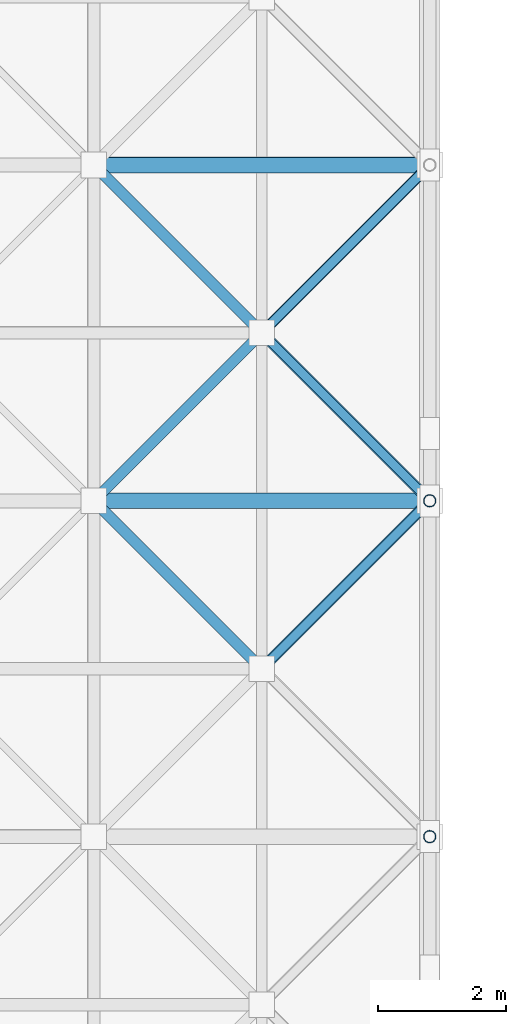
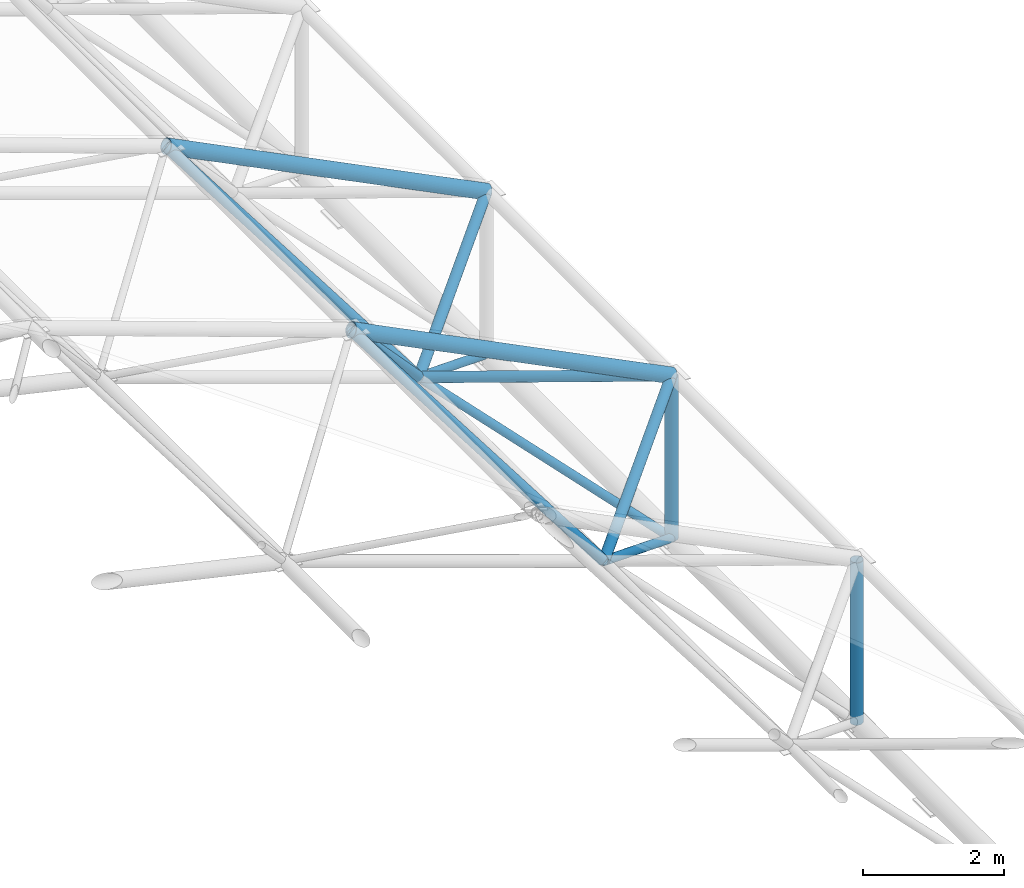
# One storey, part 21 of 100: 13 members.
"""IFC4 building model written with IfcOpenShell, lengths in metres."""

from ifc_helpers import new_model, si_unit, direction, frame, origin, origin_2d, place, context, subcontext, project, spatial, hollow_circle, extrude, material, material_profile, profile_set, type_object, element, save


model = new_model("IFC4")

# Units and contexts
model_context = context("Model", 3, precision=1e-05, world=origin(), true_north=direction((0.0, 1.0)))
body_context = subcontext(model_context, "Body", "Model", "MODEL_VIEW")
ifc_project = project(units=[si_unit("LENGTHUNIT", "METRE"), si_unit("AREAUNIT", "SQUARE_METRE"), si_unit("VOLUMEUNIT", "CUBIC_METRE"), si_unit("PLANEANGLEUNIT", "RADIAN"), si_unit("MASSUNIT", "GRAM", prefix="KILO")], contexts=[model_context])

# Site, building, storey
site_placement = place(None, origin())
site = spatial("IfcSite", under=ifc_project, at=site_placement, CompositionType="ELEMENT")
building_placement = place(site_placement, origin())
building = spatial("IfcBuilding", under=site, at=building_placement, Name="Kiln Court Media Centre", CompositionType="ELEMENT")
storey_placement = place(building_placement, frame((0.0, 0.0, 15.0)))
storey = spatial("IfcBuildingStorey", under=building, at=storey_placement, Name="L03", CompositionType="ELEMENT", Elevation=15.0)

# Members
ifc_material_1 = material(Name="Steel ASTM A500 Gr C", Category="steel")
ifc_material_profile_1 = material_profile(ifc_material_1, hollow_circle(Radius=0.06982421875, WallThickness=0.0048828125, at=origin_2d()), Name="CHS 139.7x5.0")
ifc_profile_set_1 = profile_set([ifc_material_profile_1], Name="Steel ASTM A500 Gr C")
member_type_1 = type_object("IfcMemberType", Name="Steel ASTM A500 Gr C CHS 139.7x5.0 space frame brace", PredefinedType="BRACE", material=ifc_profile_set_1)
for number, where, z_axis, x_axis, name in (
    (1, (100.800048828125, 40.949951171875, 0.18994140625), (-0.614895163376, -0.614895163376, 0.493769051394), (0.707106781187, -0.707106781187, 0.0), "V1 roof bearing tie last 4 space frame brace"),
    (2, (100.800048828125, 40.949951171875, 0.18994140625), (-0.614895163376, 0.614895163376, 0.493769051394), (-0.707106781187, -0.707106781187, 0.0), "V1 roof bearing tie last 4 space frame brace"),
    (3, (100.800048828125, 46.199951171875, 0.18994140625), (-0.614895163376, -0.614895163376, 0.493769051394), (0.707106781187, -0.707106781187, 0.0), "V1 roof bearing tie last 5 space frame brace"),
):
    element("IfcMember", number, at=place(storey_placement, frame(where, z_axis=z_axis, x_axis=x_axis)), inside=storey, type_object=member_type_1, Name=name, PredefinedType="BRACE", context=body_context, shape_type="SweptSolid", body=[
        extrude(hollow_circle(Radius=0.06982421875, WallThickness=0.0048828125, at=origin_2d()), origin(), (0.0, 0.0, 1.0), 4.26904296875),
    ])
ifc_material_2 = material(Name="Steel ASTM A500 Gr C", Category="steel")
ifc_material_profile_2 = material_profile(ifc_material_2, hollow_circle(Radius=0.084228515625, WallThickness=0.00634765625, at=origin_2d()), Name="CHS 168.3x6.3")
ifc_profile_set_2 = profile_set([ifc_material_profile_2], Name="Steel ASTM A500 Gr C")
member_type_2 = type_object("IfcMemberType", Name="Steel ASTM A500 Gr C CHS 168.3x6.3 space frame brace", PredefinedType="BRACE", material=ifc_profile_set_2)
member_1_placement = place(storey_placement, frame((98.175048828125, 38.324951171875, 2.2978515625), z_axis=(-0.526569761857, 0.526569761857, 0.667419337295), x_axis=(-0.707106781187, -0.707106781187, 0.0)))
element("IfcMember", 4, at=member_1_placement, inside=storey, type_object=member_type_2, Name="V1 roof diagonal 8-3 space frame brace", PredefinedType="BRACE", context=body_context, shape_type="SweptSolid", body=[
    extrude(hollow_circle(Radius=0.084228515625, WallThickness=0.00634765625, at=origin_2d()), origin(), (0.0, 0.0, 1.0), 4.985107421875),
])
member_2_placement = place(storey_placement, frame((98.175048828125, 38.324951171875, 2.2978515625), z_axis=(0.694788256549, 0.694788256549, 0.185845519516), x_axis=(-0.707106781187, 0.707106781187, 0.0)))
element("IfcMember", 5, at=member_2_placement, inside=storey, type_object=member_type_2, Name="V1 roof diagonal 8-3 space frame brace", PredefinedType="BRACE", context=body_context, shape_type="SweptSolid", body=[
    extrude(hollow_circle(Radius=0.084228515625, WallThickness=0.00634765625, at=origin_2d()), origin(), (0.0, 0.0, 1.0), 3.778076171875),
])
member_3_placement = place(storey_placement, frame((98.175048828125, 43.574951171875, 2.2978515625), z_axis=(-0.526569761857, -0.526569761857, 0.667419337295), x_axis=(0.707106781187, -0.707106781187, 0.0)))
element("IfcMember", 6, at=member_3_placement, inside=storey, type_object=member_type_2, Name="V1 roof diagonal 8-4 space frame brace", PredefinedType="BRACE", context=body_context, shape_type="SweptSolid", body=[
    extrude(hollow_circle(Radius=0.084228515625, WallThickness=0.00634765625, at=origin_2d()), origin(), (0.0, 0.0, 1.0), 4.985107421875),
])
member_4_placement = place(storey_placement, frame((98.175048828125, 43.574951171875, 2.2978515625), z_axis=(0.694788256549, -0.694788256549, 0.185845519516), x_axis=(0.707106781187, 0.707106781187, 0.0)))
element("IfcMember", 7, at=member_4_placement, inside=storey, type_object=member_type_2, Name="V1 roof diagonal 8-4 space frame brace", PredefinedType="BRACE", context=body_context, shape_type="SweptSolid", body=[
    extrude(hollow_circle(Radius=0.084228515625, WallThickness=0.00634765625, at=origin_2d()), origin(), (0.0, 0.0, 1.0), 3.778076171875),
])
member_5_placement = place(storey_placement, frame((98.175048828125, 43.574951171875, 2.2978515625), z_axis=(-0.526569761857, 0.526569761857, 0.667419337295), x_axis=(-0.707106781187, -0.707106781187, 0.0)))
element("IfcMember", 8, at=member_5_placement, inside=storey, type_object=member_type_2, Name="V1 roof diagonal 8-4 space frame brace", PredefinedType="BRACE", context=body_context, shape_type="SweptSolid", body=[
    extrude(hollow_circle(Radius=0.084228515625, WallThickness=0.00634765625, at=origin_2d()), origin(), (0.0, 0.0, 1.0), 4.985107421875),
])
member_6_placement = place(storey_placement, frame((98.175048828125, 43.574951171875, 2.2978515625), z_axis=(0.694788256549, 0.694788256549, 0.185845519516), x_axis=(-0.707106781187, 0.707106781187, 0.0)))
element("IfcMember", 9, at=member_6_placement, inside=storey, type_object=member_type_2, Name="V1 roof diagonal 8-4 space frame brace", PredefinedType="BRACE", context=body_context, shape_type="SweptSolid", body=[
    extrude(hollow_circle(Radius=0.084228515625, WallThickness=0.00634765625, at=origin_2d()), origin(), (0.0, 0.0, 1.0), 3.778076171875),
])
ifc_material_3 = material(Name="Steel ASTM A500 Gr C", Category="steel")
ifc_material_profile_3 = material_profile(ifc_material_3, hollow_circle(Radius=0.096923828125, WallThickness=0.008056640625, at=origin_2d()), Name="CHS 193.7x8.0")
ifc_profile_set_3 = profile_set([ifc_material_profile_3], Name="Steel ASTM A500 Gr C")
member_type_3 = type_object("IfcMemberType", Name="Steel ASTM A500 Gr C CHS 193.7x8.0 space frame strut", PredefinedType="STRUT", material=ifc_profile_set_3)
for number, where, z_axis, x_axis, name in (
    (10, (100.800048828125, 35.699951171875, 0.18994140625), (0.0, 0.0, 1.0), (1.0, 0.0, 0.0), "V1 roof bearing post last 3 space frame strut"),
    (11, (100.800048828125, 40.949951171875, 0.18994140625), (0.0, 0.0, 1.0), (1.0, 0.0, 0.0), "V1 roof bearing post last 4 space frame strut"),
):
    element("IfcMember", number, at=place(storey_placement, frame(where, z_axis=z_axis, x_axis=x_axis)), inside=storey, type_object=member_type_3, Name=name, PredefinedType="STRUT", context=body_context, shape_type="SweptSolid", body=[
        extrude(hollow_circle(Radius=0.096923828125, WallThickness=0.008056640625, at=origin_2d()), origin(), (0.0, 0.0, 1.0), 2.81005859375),
    ])
ifc_material_4 = material(Name="Steel ASTM A500 Gr C", Category="steel")
ifc_material_profile_4 = material_profile(ifc_material_4, hollow_circle(Radius=0.122314453125, WallThickness=0.010009765625, at=origin_2d()), Name="CHS 244.5x10.0")
ifc_profile_set_4 = profile_set([ifc_material_profile_4], Name="Steel ASTM A500 Gr C")
member_type_4 = type_object("IfcMemberType", Name="Steel ASTM A500 Gr C CHS 244.5x10.0 space frame chord", PredefinedType="CHORD", material=ifc_profile_set_4)
for number, where, z_axis, x_axis, name in (
    (12, (95.550048828125, 40.949951171875, 5.625), (0.894427191, 0.0, -0.4472135955), (0.0, 1.0, 0.0), "V1 roof top chord across line 4 space frame chord"),
    (13, (95.550048828125, 46.199951171875, 5.625), (0.894427191, 0.0, -0.4472135955), (0.0, 1.0, 0.0), "V1 roof top chord across line 5 space frame chord"),
):
    element("IfcMember", number, at=place(storey_placement, frame(where, z_axis=z_axis, x_axis=x_axis)), inside=storey, type_object=member_type_4, Name=name, PredefinedType="CHORD", context=body_context, shape_type="SweptSolid", body=[
        extrude(hollow_circle(Radius=0.122314453125, WallThickness=0.010009765625, at=origin_2d()), origin(), (0.0, 0.0, 1.0), 5.86962890625),
    ])

save(model, "model.ifc")
